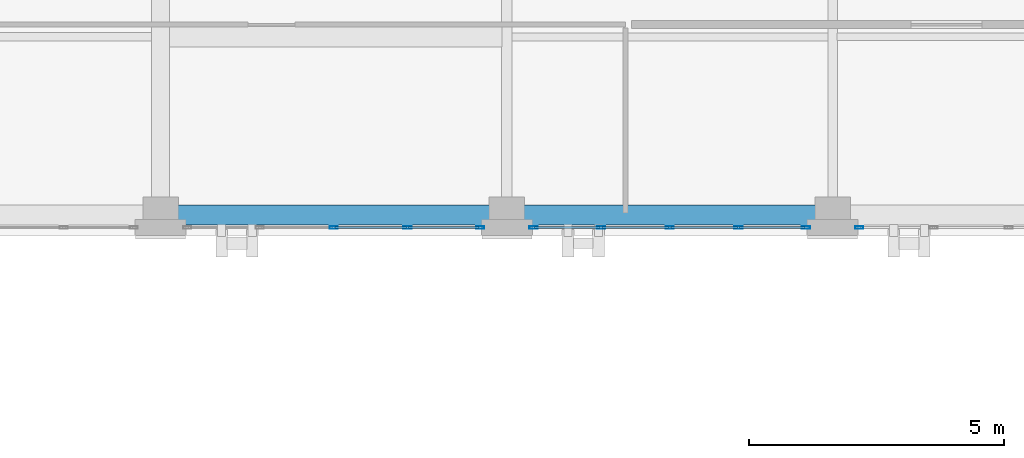
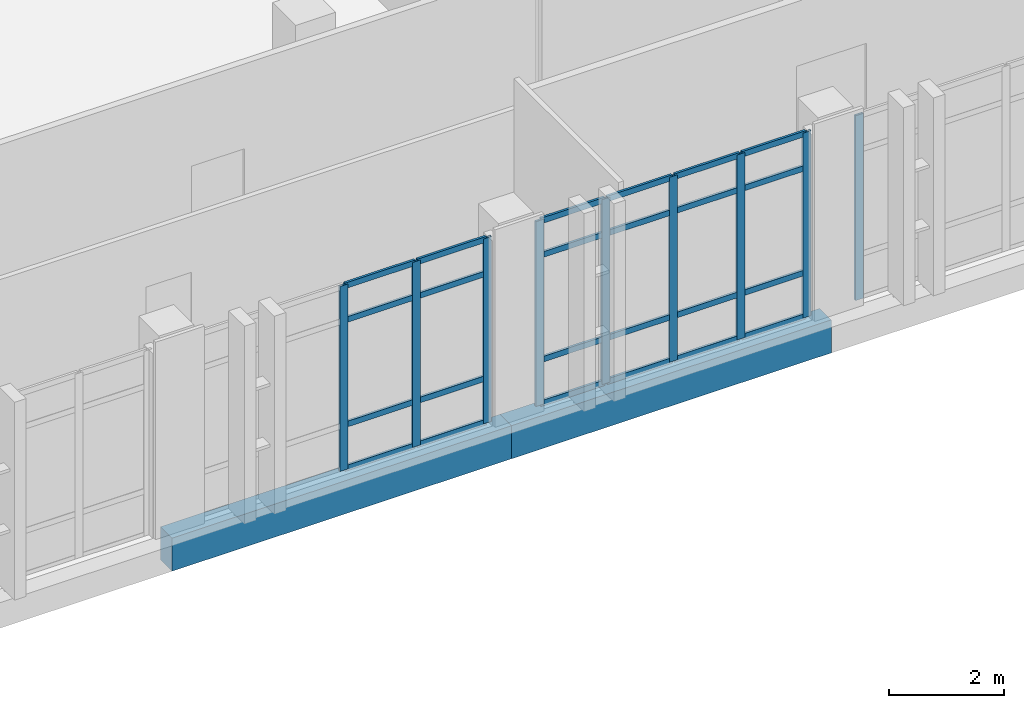
# One storey, part 87 of 193: 33 members, 2 beams, 3 elements without a shape of their own.
"""IFC4 building model written with IfcOpenShell, lengths in metres."""

from ifc_helpers import new_model, si_unit, direction, frame, origin, origin_2d, place, context, subcontext, project, spatial, rectangle, hollow_rectangle, extrude, material, layer, layer_set, material_profile, profile_set, type_object, element, aggregate, save


model = new_model("IFC4")

# Units and contexts
model_context = context("Model", 3, precision=1e-05, world=origin(), true_north=direction((0.0, 1.0)))
body_context = subcontext(model_context, "Body", "Model", "MODEL_VIEW")
ifc_project = project(units=[si_unit("LENGTHUNIT", "METRE"), si_unit("AREAUNIT", "SQUARE_METRE"), si_unit("VOLUMEUNIT", "CUBIC_METRE"), si_unit("PLANEANGLEUNIT", "RADIAN"), si_unit("MASSUNIT", "GRAM", prefix="KILO")], contexts=[model_context])

# Site, building, storey
site_placement = place(None, origin())
site = spatial("IfcSite", under=ifc_project, at=site_placement, CompositionType="ELEMENT")
building_placement = place(site_placement, origin())
building = spatial("IfcBuilding", under=site, at=building_placement, Name="Qalavern Law Courts", CompositionType="ELEMENT")
storey_placement = place(building_placement, frame((0.0, 0.0, 10.199951171875)))
storey = spatial("IfcBuildingStorey", under=building, at=storey_placement, Name="L02", CompositionType="ELEMENT", Elevation=10.199951171875)

# Curtain wall, members
ifc_material_1 = material(Name="Anodised aluminium and insulated glazing", Category="aluminium")
ifc_layer = layer(ifc_material_1, 0.166015625)
ifc_layer_set = layer_set([ifc_layer], Name="Anodised aluminium and insulated glazing")
curtain_wall_type = type_object("IfcCurtainWallType", Name="ENV-CW-LIB", PredefinedType="USERDEFINED", material=ifc_layer_set)
curtain_wall_1_placement = place(storey_placement, origin())
curtain_wall_1 = element("IfcCurtainWall", 1, at=curtain_wall_1_placement, inside=storey, type_object=curtain_wall_type, Name="V5 unitised curtain wall L02 south 4", ObjectType="UNITISED CURTAIN WALL", PredefinedType="USERDEFINED")
ifc_material_2 = material(Name="Anodised aluminium", Category="aluminium")
ifc_material_profile_1 = material_profile(ifc_material_2, hollow_rectangle(XDim=0.048095703125, YDim=0.159912109375, WallThickness=0.00390625, at=origin_2d()), Name="ALU MULLION 48x160")
ifc_profile_set_1 = profile_set([ifc_material_profile_1], Name="Anodised aluminium")
member_type_1 = type_object("IfcMemberType", Name="ENV-CWM-48x160", PredefinedType="MULLION", material=ifc_profile_set_1)
member_1_placement = place(storey_placement, frame((48.199951171875, 96.35498046875, 0.0), z_axis=(0.0, 0.0, 1.0), x_axis=(0.0, 1.0, 0.0)))
member_1 = element("IfcMember", 2, at=member_1_placement, type_object=member_type_1, Name="CW-05 mullion 3", PredefinedType="MULLION", context=body_context, shape_type="SweptSolid", body=[
    extrude(hollow_rectangle(XDim=0.048095703125, YDim=0.159912109375, WallThickness=0.00390625, at=origin_2d()), origin(), (0.0, 0.0, 1.0), 3.9150390625),
])
member_2_placement = place(storey_placement, frame((49.64990234375, 96.35498046875, 0.0), z_axis=(0.0, 0.0, 1.0), x_axis=(0.0, 1.0, 0.0)))
member_2 = element("IfcMember", 3, at=member_2_placement, type_object=member_type_1, Name="CW-05 mullion 4", PredefinedType="MULLION", context=body_context, shape_type="SweptSolid", body=[
    extrude(hollow_rectangle(XDim=0.048095703125, YDim=0.159912109375, WallThickness=0.00390625, at=origin_2d()), origin(), (0.0, 0.0, 1.0), 3.9150390625),
])
member_3_placement = place(storey_placement, frame((51.075927734375, 96.35498046875, 0.0), z_axis=(0.0, 0.0, 1.0), x_axis=(0.0, 1.0, 0.0)))
member_3 = element("IfcMember", 4, at=member_3_placement, type_object=member_type_1, Name="CW-05 mullion 5", PredefinedType="MULLION", context=body_context, shape_type="SweptSolid", body=[
    extrude(hollow_rectangle(XDim=0.048095703125, YDim=0.159912109375, WallThickness=0.00390625, at=origin_2d()), origin(), (0.0, 0.0, 1.0), 3.9150390625),
])

curtain_wall_2_placement = place(storey_placement, origin())
curtain_wall_2 = element("IfcCurtainWall", 5, at=curtain_wall_2_placement, inside=storey, type_object=curtain_wall_type, Name="V5 unitised curtain wall L02 south 5", ObjectType="UNITISED CURTAIN WALL", PredefinedType="USERDEFINED")
member_4_placement = place(storey_placement, frame((52.1240234375, 96.35498046875, 0.0), z_axis=(0.0, 0.0, 1.0), x_axis=(0.0, 1.0, 0.0)))
member_4 = element("IfcMember", 6, at=member_4_placement, type_object=member_type_1, Name="CW-05 mullion 1", PredefinedType="MULLION", context=body_context, shape_type="SweptSolid", body=[
    extrude(hollow_rectangle(XDim=0.048095703125, YDim=0.159912109375, WallThickness=0.00390625, at=origin_2d()), origin(), (0.0, 0.0, 1.0), 3.9150390625),
])
member_5_placement = place(storey_placement, frame((53.449951171875, 96.35498046875, 0.0), z_axis=(0.0, 0.0, 1.0), x_axis=(0.0, 1.0, 0.0)))
member_5 = element("IfcMember", 7, at=member_5_placement, type_object=member_type_1, Name="CW-05 mullion 2", PredefinedType="MULLION", context=body_context, shape_type="SweptSolid", body=[
    extrude(hollow_rectangle(XDim=0.048095703125, YDim=0.159912109375, WallThickness=0.00390625, at=origin_2d()), origin(), (0.0, 0.0, 1.0), 3.9150390625),
])
member_6_placement = place(storey_placement, frame((54.800048828125, 96.35498046875, 0.0), z_axis=(0.0, 0.0, 1.0), x_axis=(0.0, 1.0, 0.0)))
member_6 = element("IfcMember", 8, at=member_6_placement, type_object=member_type_1, Name="CW-05 mullion 3", PredefinedType="MULLION", context=body_context, shape_type="SweptSolid", body=[
    extrude(hollow_rectangle(XDim=0.048095703125, YDim=0.159912109375, WallThickness=0.00390625, at=origin_2d()), origin(), (0.0, 0.0, 1.0), 3.9150390625),
])
member_7_placement = place(storey_placement, frame((56.14990234375, 96.35498046875, 0.0), z_axis=(0.0, 0.0, 1.0), x_axis=(0.0, 1.0, 0.0)))
member_7 = element("IfcMember", 9, at=member_7_placement, type_object=member_type_1, Name="CW-05 mullion 4", PredefinedType="MULLION", context=body_context, shape_type="SweptSolid", body=[
    extrude(hollow_rectangle(XDim=0.048095703125, YDim=0.159912109375, WallThickness=0.00390625, at=origin_2d()), origin(), (0.0, 0.0, 1.0), 3.9150390625),
])
member_8_placement = place(storey_placement, frame((57.47607421875, 96.35498046875, 0.0), z_axis=(0.0, 0.0, 1.0), x_axis=(0.0, 1.0, 0.0)))
member_8 = element("IfcMember", 10, at=member_8_placement, type_object=member_type_1, Name="CW-05 mullion 5", PredefinedType="MULLION", context=body_context, shape_type="SweptSolid", body=[
    extrude(hollow_rectangle(XDim=0.048095703125, YDim=0.159912109375, WallThickness=0.00390625, at=origin_2d()), origin(), (0.0, 0.0, 1.0), 3.9150390625),
])

# Curtain wall, member
curtain_wall_3_placement = place(storey_placement, origin())
curtain_wall_3 = element("IfcCurtainWall", 11, at=curtain_wall_3_placement, inside=storey, type_object=curtain_wall_type, Name="V5 unitised curtain wall L02 south 6", ObjectType="UNITISED CURTAIN WALL", PredefinedType="USERDEFINED")
member_9_placement = place(storey_placement, frame((58.52392578125, 96.35498046875, 0.0), z_axis=(0.0, 0.0, 1.0), x_axis=(0.0, 1.0, 0.0)))
member_9 = element("IfcMember", 12, at=member_9_placement, type_object=member_type_1, Name="CW-05 mullion 1", PredefinedType="MULLION", context=body_context, shape_type="SweptSolid", body=[
    extrude(hollow_rectangle(XDim=0.048095703125, YDim=0.159912109375, WallThickness=0.00390625, at=origin_2d()), origin(), (0.0, 0.0, 1.0), 3.9150390625),
])
aggregate(curtain_wall_3, [member_9])

# Member
ifc_material_profile_2 = material_profile(ifc_material_2, hollow_rectangle(XDim=0.048095703125, YDim=0.1201171875, WallThickness=0.00390625, at=origin_2d()), Name="ALU TRANSOM 48x120")
ifc_profile_set_2 = profile_set([ifc_material_profile_2], Name="Anodised aluminium")
member_type_2 = type_object("IfcMemberType", Name="ENV-CWT-48x120", PredefinedType="USERDEFINED", material=ifc_profile_set_2)
member_10_placement = place(storey_placement, frame((48.22412109375, 96.35498046875, 0.024169921875), z_axis=(1.0, 0.0, 0.0), x_axis=(0.0, 1.0, 0.0)))
member_10 = element("IfcMember", 13, at=member_10_placement, type_object=member_type_2, Name="CW-05 transom 3.1", ObjectType="TRANSOM", PredefinedType="USERDEFINED", context=body_context, shape_type="SweptSolid", body=[
    extrude(hollow_rectangle(XDim=0.048095703125, YDim=0.1201171875, WallThickness=0.00390625, at=origin_2d()), origin(), (0.0, 0.0, 1.0), 1.40185546875),
])

member_11_placement = place(storey_placement, frame((48.22412109375, 96.35498046875, 0.949951171875), z_axis=(1.0, 0.0, 0.0), x_axis=(0.0, 1.0, 0.0)))
member_11 = element("IfcMember", 14, at=member_11_placement, type_object=member_type_2, Name="CW-05 transom 3.2", ObjectType="TRANSOM", PredefinedType="USERDEFINED", context=body_context, shape_type="SweptSolid", body=[
    extrude(hollow_rectangle(XDim=0.048095703125, YDim=0.1201171875, WallThickness=0.00390625, at=origin_2d()), origin(), (0.0, 0.0, 1.0), 1.40185546875),
])

member_12_placement = place(storey_placement, frame((48.22412109375, 96.35498046875, 3.1650390625), z_axis=(1.0, 0.0, 0.0), x_axis=(0.0, 1.0, 0.0)))
member_12 = element("IfcMember", 15, at=member_12_placement, type_object=member_type_2, Name="CW-05 transom 3.3", ObjectType="TRANSOM", PredefinedType="USERDEFINED", context=body_context, shape_type="SweptSolid", body=[
    extrude(hollow_rectangle(XDim=0.048095703125, YDim=0.1201171875, WallThickness=0.00390625, at=origin_2d()), origin(), (0.0, 0.0, 1.0), 1.40185546875),
])

member_13_placement = place(storey_placement, frame((48.22412109375, 96.35498046875, 3.89111328125), z_axis=(1.0, 0.0, 0.0), x_axis=(0.0, 1.0, 0.0)))
member_13 = element("IfcMember", 16, at=member_13_placement, type_object=member_type_2, Name="CW-05 transom 3.4", ObjectType="TRANSOM", PredefinedType="USERDEFINED", context=body_context, shape_type="SweptSolid", body=[
    extrude(hollow_rectangle(XDim=0.048095703125, YDim=0.1201171875, WallThickness=0.00390625, at=origin_2d()), origin(), (0.0, 0.0, 1.0), 1.40185546875),
])

member_14_placement = place(storey_placement, frame((49.674072265625, 96.35498046875, 0.024169921875), z_axis=(1.0, 0.0, 0.0), x_axis=(0.0, 1.0, 0.0)))
member_14 = element("IfcMember", 17, at=member_14_placement, type_object=member_type_2, Name="CW-05 transom 4.1", ObjectType="TRANSOM", PredefinedType="USERDEFINED", context=body_context, shape_type="SweptSolid", body=[
    extrude(hollow_rectangle(XDim=0.048095703125, YDim=0.1201171875, WallThickness=0.00390625, at=origin_2d()), origin(), (0.0, 0.0, 1.0), 1.3779296875),
])

member_15_placement = place(storey_placement, frame((49.674072265625, 96.35498046875, 0.949951171875), z_axis=(1.0, 0.0, 0.0), x_axis=(0.0, 1.0, 0.0)))
member_15 = element("IfcMember", 18, at=member_15_placement, type_object=member_type_2, Name="CW-05 transom 4.2", ObjectType="TRANSOM", PredefinedType="USERDEFINED", context=body_context, shape_type="SweptSolid", body=[
    extrude(hollow_rectangle(XDim=0.048095703125, YDim=0.1201171875, WallThickness=0.00390625, at=origin_2d()), origin(), (0.0, 0.0, 1.0), 1.3779296875),
])

member_16_placement = place(storey_placement, frame((49.674072265625, 96.35498046875, 3.1650390625), z_axis=(1.0, 0.0, 0.0), x_axis=(0.0, 1.0, 0.0)))
member_16 = element("IfcMember", 19, at=member_16_placement, type_object=member_type_2, Name="CW-05 transom 4.3", ObjectType="TRANSOM", PredefinedType="USERDEFINED", context=body_context, shape_type="SweptSolid", body=[
    extrude(hollow_rectangle(XDim=0.048095703125, YDim=0.1201171875, WallThickness=0.00390625, at=origin_2d()), origin(), (0.0, 0.0, 1.0), 1.3779296875),
])

member_17_placement = place(storey_placement, frame((49.674072265625, 96.35498046875, 3.89111328125), z_axis=(1.0, 0.0, 0.0), x_axis=(0.0, 1.0, 0.0)))
member_17 = element("IfcMember", 20, at=member_17_placement, type_object=member_type_2, Name="CW-05 transom 4.4", ObjectType="TRANSOM", PredefinedType="USERDEFINED", context=body_context, shape_type="SweptSolid", body=[
    extrude(hollow_rectangle(XDim=0.048095703125, YDim=0.1201171875, WallThickness=0.00390625, at=origin_2d()), origin(), (0.0, 0.0, 1.0), 1.3779296875),
])

aggregate(curtain_wall_1, [member_1, member_2, member_3, member_10, member_11, member_12, member_13, member_14, member_15, member_16, member_17])

member_18_placement = place(storey_placement, frame((52.14794921875, 96.35498046875, 0.024169921875), z_axis=(1.0, 0.0, 0.0), x_axis=(0.0, 1.0, 0.0)))
member_18 = element("IfcMember", 21, at=member_18_placement, type_object=member_type_2, Name="CW-05 transom 1.1", ObjectType="TRANSOM", PredefinedType="USERDEFINED", context=body_context, shape_type="SweptSolid", body=[
    extrude(hollow_rectangle(XDim=0.048095703125, YDim=0.1201171875, WallThickness=0.00390625, at=origin_2d()), origin(), (0.0, 0.0, 1.0), 1.278076171875),
])

member_19_placement = place(storey_placement, frame((52.14794921875, 96.35498046875, 0.949951171875), z_axis=(1.0, 0.0, 0.0), x_axis=(0.0, 1.0, 0.0)))
member_19 = element("IfcMember", 22, at=member_19_placement, type_object=member_type_2, Name="CW-05 transom 1.2", ObjectType="TRANSOM", PredefinedType="USERDEFINED", context=body_context, shape_type="SweptSolid", body=[
    extrude(hollow_rectangle(XDim=0.048095703125, YDim=0.1201171875, WallThickness=0.00390625, at=origin_2d()), origin(), (0.0, 0.0, 1.0), 1.278076171875),
])

member_20_placement = place(storey_placement, frame((52.14794921875, 96.35498046875, 3.1650390625), z_axis=(1.0, 0.0, 0.0), x_axis=(0.0, 1.0, 0.0)))
member_20 = element("IfcMember", 23, at=member_20_placement, type_object=member_type_2, Name="CW-05 transom 1.3", ObjectType="TRANSOM", PredefinedType="USERDEFINED", context=body_context, shape_type="SweptSolid", body=[
    extrude(hollow_rectangle(XDim=0.048095703125, YDim=0.1201171875, WallThickness=0.00390625, at=origin_2d()), origin(), (0.0, 0.0, 1.0), 1.278076171875),
])

member_21_placement = place(storey_placement, frame((52.14794921875, 96.35498046875, 3.89111328125), z_axis=(1.0, 0.0, 0.0), x_axis=(0.0, 1.0, 0.0)))
member_21 = element("IfcMember", 24, at=member_21_placement, type_object=member_type_2, Name="CW-05 transom 1.4", ObjectType="TRANSOM", PredefinedType="USERDEFINED", context=body_context, shape_type="SweptSolid", body=[
    extrude(hollow_rectangle(XDim=0.048095703125, YDim=0.1201171875, WallThickness=0.00390625, at=origin_2d()), origin(), (0.0, 0.0, 1.0), 1.278076171875),
])

member_22_placement = place(storey_placement, frame((53.47412109375, 96.35498046875, 0.024169921875), z_axis=(1.0, 0.0, 0.0), x_axis=(0.0, 1.0, 0.0)))
member_22 = element("IfcMember", 25, at=member_22_placement, type_object=member_type_2, Name="CW-05 transom 2.1", ObjectType="TRANSOM", PredefinedType="USERDEFINED", context=body_context, shape_type="SweptSolid", body=[
    extrude(hollow_rectangle(XDim=0.048095703125, YDim=0.1201171875, WallThickness=0.00390625, at=origin_2d()), origin(), (0.0, 0.0, 1.0), 1.3017578125),
])

member_23_placement = place(storey_placement, frame((53.47412109375, 96.35498046875, 0.949951171875), z_axis=(1.0, 0.0, 0.0), x_axis=(0.0, 1.0, 0.0)))
member_23 = element("IfcMember", 26, at=member_23_placement, type_object=member_type_2, Name="CW-05 transom 2.2", ObjectType="TRANSOM", PredefinedType="USERDEFINED", context=body_context, shape_type="SweptSolid", body=[
    extrude(hollow_rectangle(XDim=0.048095703125, YDim=0.1201171875, WallThickness=0.00390625, at=origin_2d()), origin(), (0.0, 0.0, 1.0), 1.3017578125),
])

member_24_placement = place(storey_placement, frame((53.47412109375, 96.35498046875, 3.1650390625), z_axis=(1.0, 0.0, 0.0), x_axis=(0.0, 1.0, 0.0)))
member_24 = element("IfcMember", 27, at=member_24_placement, type_object=member_type_2, Name="CW-05 transom 2.3", ObjectType="TRANSOM", PredefinedType="USERDEFINED", context=body_context, shape_type="SweptSolid", body=[
    extrude(hollow_rectangle(XDim=0.048095703125, YDim=0.1201171875, WallThickness=0.00390625, at=origin_2d()), origin(), (0.0, 0.0, 1.0), 1.3017578125),
])

member_25_placement = place(storey_placement, frame((53.47412109375, 96.35498046875, 3.89111328125), z_axis=(1.0, 0.0, 0.0), x_axis=(0.0, 1.0, 0.0)))
member_25 = element("IfcMember", 28, at=member_25_placement, type_object=member_type_2, Name="CW-05 transom 2.4", ObjectType="TRANSOM", PredefinedType="USERDEFINED", context=body_context, shape_type="SweptSolid", body=[
    extrude(hollow_rectangle(XDim=0.048095703125, YDim=0.1201171875, WallThickness=0.00390625, at=origin_2d()), origin(), (0.0, 0.0, 1.0), 1.3017578125),
])

member_26_placement = place(storey_placement, frame((54.823974609375, 96.35498046875, 0.024169921875), z_axis=(1.0, 0.0, 0.0), x_axis=(0.0, 1.0, 0.0)))
member_26 = element("IfcMember", 29, at=member_26_placement, type_object=member_type_2, Name="CW-05 transom 3.1", ObjectType="TRANSOM", PredefinedType="USERDEFINED", context=body_context, shape_type="SweptSolid", body=[
    extrude(hollow_rectangle(XDim=0.048095703125, YDim=0.1201171875, WallThickness=0.00390625, at=origin_2d()), origin(), (0.0, 0.0, 1.0), 1.302001953125),
])

member_27_placement = place(storey_placement, frame((54.823974609375, 96.35498046875, 0.949951171875), z_axis=(1.0, 0.0, 0.0), x_axis=(0.0, 1.0, 0.0)))
member_27 = element("IfcMember", 30, at=member_27_placement, type_object=member_type_2, Name="CW-05 transom 3.2", ObjectType="TRANSOM", PredefinedType="USERDEFINED", context=body_context, shape_type="SweptSolid", body=[
    extrude(hollow_rectangle(XDim=0.048095703125, YDim=0.1201171875, WallThickness=0.00390625, at=origin_2d()), origin(), (0.0, 0.0, 1.0), 1.302001953125),
])

member_28_placement = place(storey_placement, frame((54.823974609375, 96.35498046875, 3.1650390625), z_axis=(1.0, 0.0, 0.0), x_axis=(0.0, 1.0, 0.0)))
member_28 = element("IfcMember", 31, at=member_28_placement, type_object=member_type_2, Name="CW-05 transom 3.3", ObjectType="TRANSOM", PredefinedType="USERDEFINED", context=body_context, shape_type="SweptSolid", body=[
    extrude(hollow_rectangle(XDim=0.048095703125, YDim=0.1201171875, WallThickness=0.00390625, at=origin_2d()), origin(), (0.0, 0.0, 1.0), 1.302001953125),
])

member_29_placement = place(storey_placement, frame((54.823974609375, 96.35498046875, 3.89111328125), z_axis=(1.0, 0.0, 0.0), x_axis=(0.0, 1.0, 0.0)))
member_29 = element("IfcMember", 32, at=member_29_placement, type_object=member_type_2, Name="CW-05 transom 3.4", ObjectType="TRANSOM", PredefinedType="USERDEFINED", context=body_context, shape_type="SweptSolid", body=[
    extrude(hollow_rectangle(XDim=0.048095703125, YDim=0.1201171875, WallThickness=0.00390625, at=origin_2d()), origin(), (0.0, 0.0, 1.0), 1.302001953125),
])

member_30_placement = place(storey_placement, frame((56.174072265625, 96.35498046875, 0.024169921875), z_axis=(1.0, 0.0, 0.0), x_axis=(0.0, 1.0, 0.0)))
member_30 = element("IfcMember", 33, at=member_30_placement, type_object=member_type_2, Name="CW-05 transom 4.1", ObjectType="TRANSOM", PredefinedType="USERDEFINED", context=body_context, shape_type="SweptSolid", body=[
    extrude(hollow_rectangle(XDim=0.048095703125, YDim=0.1201171875, WallThickness=0.00390625, at=origin_2d()), origin(), (0.0, 0.0, 1.0), 1.27783203125),
])

member_31_placement = place(storey_placement, frame((56.174072265625, 96.35498046875, 0.949951171875), z_axis=(1.0, 0.0, 0.0), x_axis=(0.0, 1.0, 0.0)))
member_31 = element("IfcMember", 34, at=member_31_placement, type_object=member_type_2, Name="CW-05 transom 4.2", ObjectType="TRANSOM", PredefinedType="USERDEFINED", context=body_context, shape_type="SweptSolid", body=[
    extrude(hollow_rectangle(XDim=0.048095703125, YDim=0.1201171875, WallThickness=0.00390625, at=origin_2d()), origin(), (0.0, 0.0, 1.0), 1.27783203125),
])

member_32_placement = place(storey_placement, frame((56.174072265625, 96.35498046875, 3.1650390625), z_axis=(1.0, 0.0, 0.0), x_axis=(0.0, 1.0, 0.0)))
member_32 = element("IfcMember", 35, at=member_32_placement, type_object=member_type_2, Name="CW-05 transom 4.3", ObjectType="TRANSOM", PredefinedType="USERDEFINED", context=body_context, shape_type="SweptSolid", body=[
    extrude(hollow_rectangle(XDim=0.048095703125, YDim=0.1201171875, WallThickness=0.00390625, at=origin_2d()), origin(), (0.0, 0.0, 1.0), 1.27783203125),
])

member_33_placement = place(storey_placement, frame((56.174072265625, 96.35498046875, 3.89111328125), z_axis=(1.0, 0.0, 0.0), x_axis=(0.0, 1.0, 0.0)))
member_33 = element("IfcMember", 36, at=member_33_placement, type_object=member_type_2, Name="CW-05 transom 4.4", ObjectType="TRANSOM", PredefinedType="USERDEFINED", context=body_context, shape_type="SweptSolid", body=[
    extrude(hollow_rectangle(XDim=0.048095703125, YDim=0.1201171875, WallThickness=0.00390625, at=origin_2d()), origin(), (0.0, 0.0, 1.0), 1.27783203125),
])

aggregate(curtain_wall_2, [member_4, member_5, member_6, member_7, member_8, member_18, member_19, member_20, member_21, member_22, member_23, member_24, member_25, member_26, member_27, member_28, member_29, member_30, member_31, member_32, member_33])

# Beams
ifc_material_3 = material(Name="Concrete C40/50", Category="concrete")
ifc_material_profile_3 = material_profile(ifc_material_3, rectangle(XDim=0.39990234375, YDim=0.699951171875, at=origin_2d()), Name="RC 400x700")
ifc_profile_set_3 = profile_set([ifc_material_profile_3], Name="Concrete C40/50")
beam_type = type_object("IfcBeamType", Name="STR-SP-RC400x700", PredefinedType="SPANDREL", material=ifc_profile_set_3)
beam_1_placement = place(storey_placement, frame((44.800048828125, 96.60009765625, -0.639892578125), z_axis=(1.0, 0.0, 0.0), x_axis=(0.0, 1.0, 0.0)))
element("IfcBeam", 37, at=beam_1_placement, inside=storey, type_object=beam_type, Name="V5 X-beam 1-6 L02", PredefinedType="SPANDREL", context=body_context, shape_type="SweptSolid", body=[
    extrude(rectangle(XDim=0.39990234375, YDim=0.699951171875, at=origin_2d()), origin(), (0.0, 0.0, 1.0), 6.800048828125),
])
beam_2_placement = place(storey_placement, frame((51.60009765625, 96.60009765625, -0.639892578125), z_axis=(1.0, 0.0, 0.0), x_axis=(0.0, 1.0, 0.0)))
element("IfcBeam", 38, at=beam_2_placement, inside=storey, type_object=beam_type, Name="V5 X-beam 1-7 L02", PredefinedType="SPANDREL", context=body_context, shape_type="SweptSolid", body=[
    extrude(rectangle(XDim=0.39990234375, YDim=0.699951171875, at=origin_2d()), origin(), (0.0, 0.0, 1.0), 6.39990234375),
])

save(model, "model.ifc")
